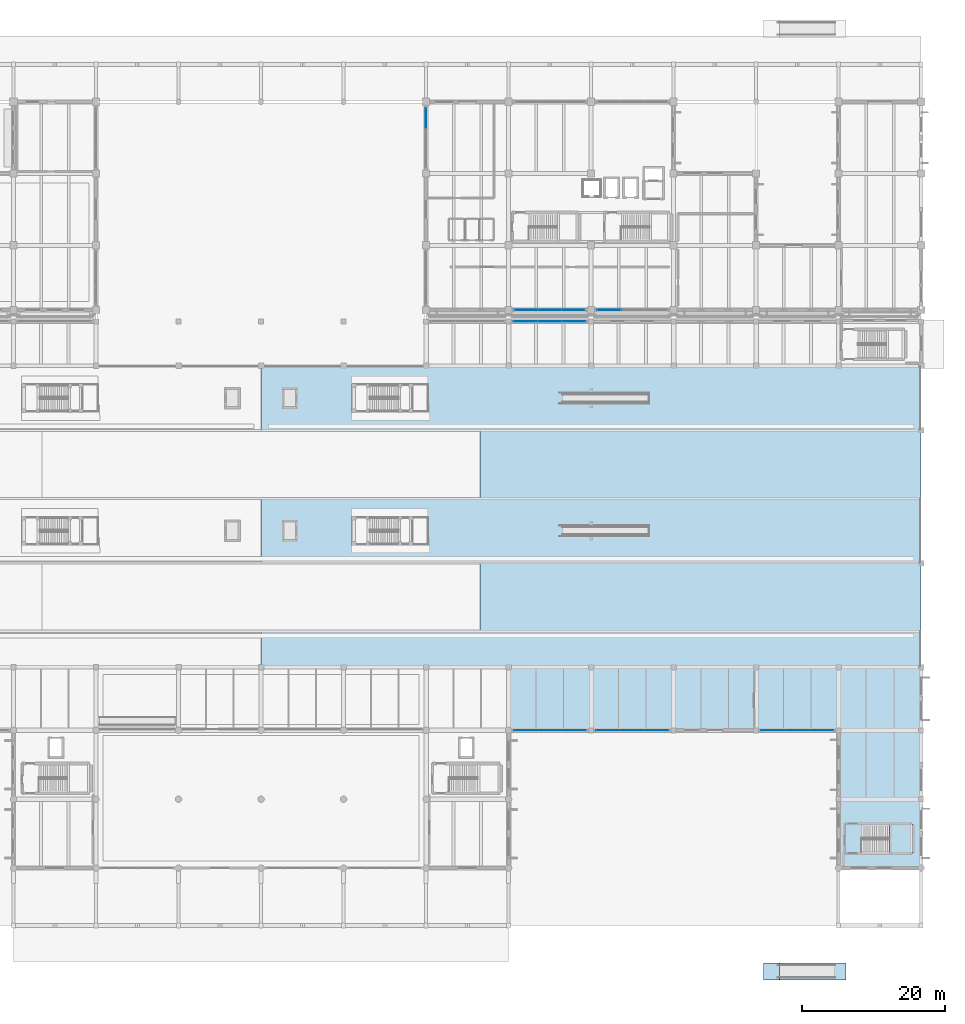
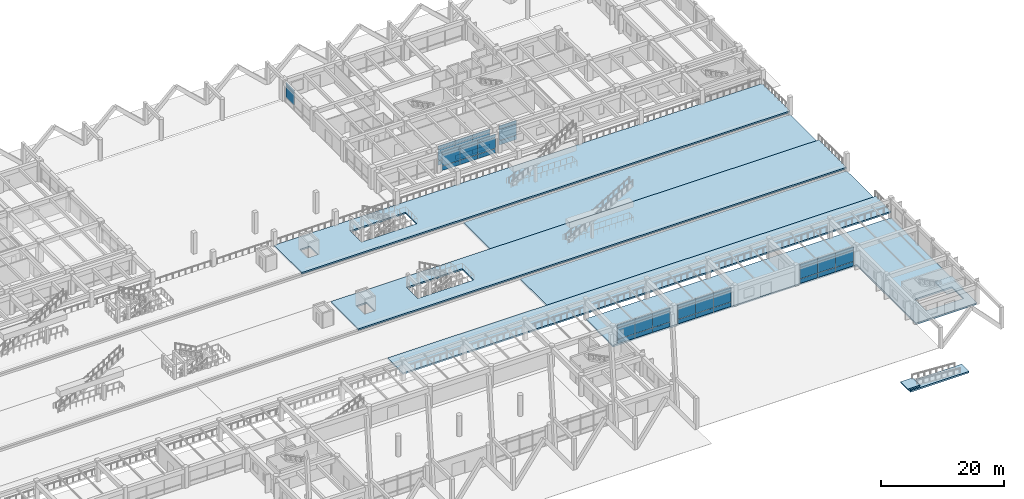
# One storey, part 75 of 109: 50 plates, 9 slabs, 9 elements without a shape of their own.
"""IFC4 building model written with IfcOpenShell, lengths in metres."""

from ifc_helpers import new_model, si_unit, direction, frame, origin, origin_2d, place, context, subcontext, project, spatial, polyline, rectangle, outline, extrude, material, layer, layer_set, type_object, element, aggregate, save


model = new_model("IFC4")

# Units and contexts
model_context = context("Model", 3, precision=1e-05, world=origin(), true_north=direction((0.0, 1.0)))
body_context = subcontext(model_context, "Body", "Model", "MODEL_VIEW")
ifc_project = project(units=[si_unit("LENGTHUNIT", "METRE"), si_unit("AREAUNIT", "SQUARE_METRE"), si_unit("VOLUMEUNIT", "CUBIC_METRE"), si_unit("PLANEANGLEUNIT", "RADIAN"), si_unit("MASSUNIT", "GRAM", prefix="KILO")], contexts=[model_context])

# Site, building, storey
site_placement = place(None, origin())
site = spatial("IfcSite", under=ifc_project, at=site_placement, CompositionType="ELEMENT")
building_placement = place(site_placement, origin())
building = spatial("IfcBuilding", under=site, at=building_placement, Name="Ologun Quay Terminus", CompositionType="ELEMENT")
storey_placement = place(building_placement, origin())
storey = spatial("IfcBuildingStorey", under=building, at=storey_placement, Name="L00", CompositionType="ELEMENT", Elevation=0.0)

# Slab
ifc_material_1 = material(Name="Concrete C40/50", Category="concrete")
ifc_layer_1 = layer(ifc_material_1, 0.320068359375)
ifc_layer_set_1 = layer_set([ifc_layer_1], Name="Concrete C40/50")
slab_type_1 = type_object("IfcSlabType", Name="Ground Podium Structural Slab 320", PredefinedType="FLOOR", material=ifc_layer_set_1)
slab_1_placement = place(storey_placement, frame((0.0, 0.0, -0.320068359375)))
element("IfcSlab", 1, at=slab_1_placement, inside=storey, type_object=slab_type_1, Name="SL-GND South Station Ground Slab 3", PredefinedType="FLOOR", context=body_context, shape_type="SweptSolid", body=[
    extrude(outline(polyline([(126.5, 27.199951171875), (172.5, 27.199951171875), (172.5, 8.0), (184.0, 8.0), (184.0, 36.0), (126.5, 36.0), (126.5, 27.199951171875)]), holes=[polyline([(175.72998046875, 10.199951171875), (175.72998046875, 14.0), (182.75, 14.0), (182.75, 10.199951171875), (175.72998046875, 10.199951171875)])]), origin(), (0.0, 0.0, 1.0), 0.320068359375),
])

# Curtain wall, plates
ifc_material_2 = material(Name="Aluminium 6063-T6", Category="aluminium")
curtain_wall_type_1 = type_object("IfcCurtainWallType", Name="Rain-Garden East Courtyard Curtain Wall L00 9200x3750", PredefinedType="USERDEFINED", material=ifc_material_2)
curtain_wall_1_placement = place(storey_placement, origin())
curtain_wall_1 = element("IfcCurtainWall", 2, at=curtain_wall_1_placement, inside=storey, type_object=curtain_wall_type_1, Name="CW-17 Curtain Wall CW-L00-123", ObjectType="UNITISED CURTAIN WALL", PredefinedType="USERDEFINED")
ifc_material_3 = material(Name="Glass", Category="glass")
ifc_layer_2 = layer(ifc_material_3, 0.035888671875)
ifc_layer_set_2 = layer_set([ifc_layer_2], Name="Glass")
plate_type_1 = type_object("IfcPlateType", Name="High-Selectivity Harbour Glazed Panel 36", PredefinedType="CURTAIN_PANEL", material=ifc_layer_set_2)
plate_1_placement = place(storey_placement, frame((115.0, 112.55322265625, 0.929931640625), z_axis=(0.0, 0.0, 1.0), x_axis=(0.0, 1.0, 0.0)))
plate_1 = element("IfcPlate", 3, at=plate_1_placement, type_object=plate_type_1, Name="CW-L00-123 Panel B3-2", PredefinedType="CURTAIN_PANEL", context=body_context, shape_type="SweptSolid", body=[
    extrude(rectangle(XDim=2.75341796875, YDim=0.035888671875, at=origin_2d()), origin(), (0.0, 0.0, 1.0), 2.27001953125),
])
plate_2_placement = place(storey_placement, frame((115.0, 112.55322265625, 3.26025390625), z_axis=(0.0, 0.0, 1.0), x_axis=(0.0, 1.0, 0.0)))
plate_2 = element("IfcPlate", 4, at=plate_2_placement, type_object=plate_type_1, Name="CW-L00-123 Panel B3-3", PredefinedType="CURTAIN_PANEL", context=body_context, shape_type="SweptSolid", body=[
    extrude(rectangle(XDim=2.75341796875, YDim=0.035888671875, at=origin_2d()), origin(), (0.0, 0.0, 1.0), 0.639892578125),
])
aggregate(curtain_wall_1, [plate_1, plate_2])

ifc_material_4 = material(Name="Aluminium 6063-T6", Category="aluminium")
curtain_wall_type_2 = type_object("IfcCurtainWallType", Name="Forecourt Arcade Curtain Wall 10700x3750", PredefinedType="USERDEFINED", material=ifc_material_4)
curtain_wall_2_placement = place(storey_placement, origin())
curtain_wall_2 = element("IfcCurtainWall", 5, at=curtain_wall_2_placement, inside=storey, type_object=curtain_wall_type_2, Name="CW-03 Curtain Wall CW-L00-007", ObjectType="UNITISED CURTAIN WALL", PredefinedType="USERDEFINED")
ifc_material_5 = material(Name="Aluminium 6063-T6", Category="aluminium")
ifc_layer_3 = layer(ifc_material_5, 0.050048828125)
ifc_layer_set_3 = layer_set([ifc_layer_3], Name="Aluminium 6063-T6")
plate_type_2 = type_object("IfcPlateType", Name="Insulated Aluminium Shadow-Box Spandrel 50", PredefinedType="CURTAIN_PANEL", material=ifc_layer_set_3)
plate_3_placement = place(storey_placement, frame((128.97998046875, 27.199951171875, 0.02978515625), z_axis=(0.0, 0.0, 1.0), x_axis=(1.0, 0.0, 0.0)))
plate_3 = element("IfcPlate", 6, at=plate_3_placement, type_object=plate_type_2, Name="CW-L00-007 Panel B1-1", PredefinedType="CURTAIN_PANEL", context=body_context, shape_type="SweptSolid", body=[
    extrude(rectangle(XDim=3.320068359375, YDim=0.050048828125, at=origin_2d()), origin(), (0.0, 0.0, 1.0), 0.840087890625),
])
plate_4_placement = place(storey_placement, frame((132.300048828125, 27.199951171875, 0.02978515625), z_axis=(0.0, 0.0, 1.0), x_axis=(1.0, 0.0, 0.0)))
plate_4 = element("IfcPlate", 7, at=plate_4_placement, type_object=plate_type_2, Name="CW-L00-007 Panel B2-1", PredefinedType="CURTAIN_PANEL", context=body_context, shape_type="SweptSolid", body=[
    extrude(rectangle(XDim=3.320068359375, YDim=0.050048828125, at=origin_2d()), origin(), (0.0, 0.0, 1.0), 0.840087890625),
])
plate_5_placement = place(storey_placement, frame((135.6201171875, 27.199951171875, 0.02978515625), z_axis=(0.0, 0.0, 1.0), x_axis=(1.0, 0.0, 0.0)))
plate_5 = element("IfcPlate", 8, at=plate_5_placement, type_object=plate_type_2, Name="CW-L00-007 Panel B3-1", PredefinedType="CURTAIN_PANEL", context=body_context, shape_type="SweptSolid", body=[
    extrude(rectangle(XDim=3.320068359375, YDim=0.050048828125, at=origin_2d()), origin(), (0.0, 0.0, 1.0), 0.840087890625),
])

curtain_wall_3_placement = place(storey_placement, origin())
curtain_wall_3 = element("IfcCurtainWall", 9, at=curtain_wall_3_placement, inside=storey, type_object=curtain_wall_type_2, Name="CW-03 Curtain Wall CW-L00-008", ObjectType="UNITISED CURTAIN WALL", PredefinedType="USERDEFINED")
plate_6_placement = place(storey_placement, frame((140.396728515625, 27.199951171875, 0.02978515625), z_axis=(0.0, 0.0, 1.0), x_axis=(1.0, 0.0, 0.0)))
plate_6 = element("IfcPlate", 10, at=plate_6_placement, type_object=plate_type_2, Name="CW-L00-008 Panel B1-1", PredefinedType="CURTAIN_PANEL", context=body_context, shape_type="SweptSolid", body=[
    extrude(rectangle(XDim=3.353271484375, YDim=0.050048828125, at=origin_2d()), origin(), (0.0, 0.0, 1.0), 0.840087890625),
])
plate_7_placement = place(storey_placement, frame((143.75, 27.199951171875, 0.02978515625), z_axis=(0.0, 0.0, 1.0), x_axis=(1.0, 0.0, 0.0)))
plate_7 = element("IfcPlate", 11, at=plate_7_placement, type_object=plate_type_2, Name="CW-L00-008 Panel B2-1", PredefinedType="CURTAIN_PANEL", context=body_context, shape_type="SweptSolid", body=[
    extrude(rectangle(XDim=3.353271484375, YDim=0.050048828125, at=origin_2d()), origin(), (0.0, 0.0, 1.0), 0.840087890625),
])
plate_8_placement = place(storey_placement, frame((147.103271484375, 27.199951171875, 0.02978515625), z_axis=(0.0, 0.0, 1.0), x_axis=(1.0, 0.0, 0.0)))
plate_8 = element("IfcPlate", 12, at=plate_8_placement, type_object=plate_type_2, Name="CW-L00-008 Panel B3-1", PredefinedType="CURTAIN_PANEL", context=body_context, shape_type="SweptSolid", body=[
    extrude(rectangle(XDim=3.353271484375, YDim=0.050048828125, at=origin_2d()), origin(), (0.0, 0.0, 1.0), 0.840087890625),
])

curtain_wall_4_placement = place(storey_placement, origin())
curtain_wall_4 = element("IfcCurtainWall", 13, at=curtain_wall_4_placement, inside=storey, type_object=curtain_wall_type_2, Name="CW-03 Curtain Wall CW-L00-009", ObjectType="UNITISED CURTAIN WALL", PredefinedType="USERDEFINED")
plate_9_placement = place(storey_placement, frame((163.396728515625, 27.199951171875, 0.02978515625), z_axis=(0.0, 0.0, 1.0), x_axis=(1.0, 0.0, 0.0)))
plate_9 = element("IfcPlate", 14, at=plate_9_placement, type_object=plate_type_2, Name="CW-L00-009 Panel B1-1", PredefinedType="CURTAIN_PANEL", context=body_context, shape_type="SweptSolid", body=[
    extrude(rectangle(XDim=3.353271484375, YDim=0.050048828125, at=origin_2d()), origin(), (0.0, 0.0, 1.0), 0.840087890625),
])
plate_10_placement = place(storey_placement, frame((166.75, 27.199951171875, 0.02978515625), z_axis=(0.0, 0.0, 1.0), x_axis=(1.0, 0.0, 0.0)))
plate_10 = element("IfcPlate", 15, at=plate_10_placement, type_object=plate_type_2, Name="CW-L00-009 Panel B2-1", PredefinedType="CURTAIN_PANEL", context=body_context, shape_type="SweptSolid", body=[
    extrude(rectangle(XDim=3.353271484375, YDim=0.050048828125, at=origin_2d()), origin(), (0.0, 0.0, 1.0), 0.840087890625),
])
plate_11_placement = place(storey_placement, frame((170.103271484375, 27.199951171875, 0.02978515625), z_axis=(0.0, 0.0, 1.0), x_axis=(1.0, 0.0, 0.0)))
plate_11 = element("IfcPlate", 16, at=plate_11_placement, type_object=plate_type_2, Name="CW-L00-009 Panel B3-1", PredefinedType="CURTAIN_PANEL", context=body_context, shape_type="SweptSolid", body=[
    extrude(rectangle(XDim=3.353271484375, YDim=0.050048828125, at=origin_2d()), origin(), (0.0, 0.0, 1.0), 0.840087890625),
])

ifc_material_6 = material(Name="Aluminium 6063-T6", Category="aluminium")
curtain_wall_type_3 = type_object("IfcCurtainWallType", Name="Ticket Hall Grand Portal Curtain Wall 10700x7700", PredefinedType="USERDEFINED", material=ifc_material_6)
curtain_wall_5_placement = place(storey_placement, origin())
curtain_wall_5 = element("IfcCurtainWall", 17, at=curtain_wall_5_placement, inside=storey, type_object=curtain_wall_type_3, Name="CW-01 Curtain Wall CW-L00-087", ObjectType="UNITISED CURTAIN WALL", PredefinedType="USERDEFINED")
plate_12_placement = place(storey_placement, frame((128.896728515625, 84.199951171875, 0.02978515625), z_axis=(0.0, 0.0, 1.0), x_axis=(1.0, 0.0, 0.0)))
plate_12 = element("IfcPlate", 18, at=plate_12_placement, type_object=plate_type_2, Name="CW-L00-087 Panel B1-1", PredefinedType="CURTAIN_PANEL", context=body_context, shape_type="SweptSolid", body=[
    extrude(rectangle(XDim=3.353271484375, YDim=0.050048828125, at=origin_2d()), origin(), (0.0, 0.0, 1.0), 0.840087890625),
])
plate_13_placement = place(storey_placement, frame((132.25, 84.199951171875, 0.02978515625), z_axis=(0.0, 0.0, 1.0), x_axis=(1.0, 0.0, 0.0)))
plate_13 = element("IfcPlate", 19, at=plate_13_placement, type_object=plate_type_2, Name="CW-L00-087 Panel B2-1", PredefinedType="CURTAIN_PANEL", context=body_context, shape_type="SweptSolid", body=[
    extrude(rectangle(XDim=3.353271484375, YDim=0.050048828125, at=origin_2d()), origin(), (0.0, 0.0, 1.0), 0.840087890625),
])
plate_14_placement = place(storey_placement, frame((135.603271484375, 84.199951171875, 0.02978515625), z_axis=(0.0, 0.0, 1.0), x_axis=(1.0, 0.0, 0.0)))
plate_14 = element("IfcPlate", 20, at=plate_14_placement, type_object=plate_type_2, Name="CW-L00-087 Panel B3-1", PredefinedType="CURTAIN_PANEL", context=body_context, shape_type="SweptSolid", body=[
    extrude(rectangle(XDim=3.353271484375, YDim=0.050048828125, at=origin_2d()), origin(), (0.0, 0.0, 1.0), 0.840087890625),
])

ifc_material_7 = material(Name="Aluminium 6063-T6", Category="aluminium")
curtain_wall_type_4 = type_object("IfcCurtainWallType", Name="Waterfront Pavilion Harbour Curtain Wall L00 10500x3750", PredefinedType="USERDEFINED", material=ifc_material_7)
curtain_wall_6_placement = place(storey_placement, origin())
curtain_wall_6 = element("IfcCurtainWall", 21, at=curtain_wall_6_placement, inside=storey, type_object=curtain_wall_type_4, Name="CW-22 Curtain Wall CW-L00-118", ObjectType="UNITISED CURTAIN WALL", PredefinedType="USERDEFINED")
plate_15_placement = place(storey_placement, frame((128.99658203125, 85.800048828125, 0.02978515625), z_axis=(0.0, 0.0, 1.0), x_axis=(1.0, 0.0, 0.0)))
plate_15 = element("IfcPlate", 22, at=plate_15_placement, type_object=plate_type_2, Name="CW-L00-118 Panel B1-1", PredefinedType="CURTAIN_PANEL", context=body_context, shape_type="SweptSolid", body=[
    extrude(rectangle(XDim=3.25341796875, YDim=0.050048828125, at=origin_2d()), origin(), (0.0, 0.0, 1.0), 0.840087890625),
])
plate_16_placement = place(storey_placement, frame((132.25, 85.800048828125, 0.02978515625), z_axis=(0.0, 0.0, 1.0), x_axis=(1.0, 0.0, 0.0)))
plate_16 = element("IfcPlate", 23, at=plate_16_placement, type_object=plate_type_2, Name="CW-L00-118 Panel B2-1", PredefinedType="CURTAIN_PANEL", context=body_context, shape_type="SweptSolid", body=[
    extrude(rectangle(XDim=3.25341796875, YDim=0.050048828125, at=origin_2d()), origin(), (0.0, 0.0, 1.0), 0.840087890625),
])
plate_17_placement = place(storey_placement, frame((135.50341796875, 85.800048828125, 0.02978515625), z_axis=(0.0, 0.0, 1.0), x_axis=(1.0, 0.0, 0.0)))
plate_17 = element("IfcPlate", 24, at=plate_17_placement, type_object=plate_type_2, Name="CW-L00-118 Panel B3-1", PredefinedType="CURTAIN_PANEL", context=body_context, shape_type="SweptSolid", body=[
    extrude(rectangle(XDim=3.25341796875, YDim=0.050048828125, at=origin_2d()), origin(), (0.0, 0.0, 1.0), 0.840087890625),
])

# Curtain wall, plate
curtain_wall_7_placement = place(storey_placement, origin())
curtain_wall_7 = element("IfcCurtainWall", 25, at=curtain_wall_7_placement, inside=storey, type_object=curtain_wall_type_4, Name="CW-22 Curtain Wall CW-L00-119", ObjectType="UNITISED CURTAIN WALL", PredefinedType="USERDEFINED")
plate_18_placement = place(storey_placement, frame((140.49658203125, 85.800048828125, 0.02978515625), z_axis=(0.0, 0.0, 1.0), x_axis=(1.0, 0.0, 0.0)))
plate_18 = element("IfcPlate", 26, at=plate_18_placement, type_object=plate_type_2, Name="CW-L00-119 Panel B1-1", PredefinedType="CURTAIN_PANEL", context=body_context, shape_type="SweptSolid", body=[
    extrude(rectangle(XDim=3.25341796875, YDim=0.050048828125, at=origin_2d()), origin(), (0.0, 0.0, 1.0), 0.840087890625),
])

# Slabs
ifc_material_8 = material(Name="Concrete C40/50", Category="concrete")
ifc_layer_4 = layer(ifc_material_8, 0.39990234375)
ifc_layer_set_4 = layer_set([ifc_layer_4], Name="Concrete C40/50")
slab_type_2 = type_object("IfcSlabType", Name="Isolated Railway Track Bed Slab 400", PredefinedType="FLOOR", material=ifc_layer_set_4)
slab_2_placement = place(storey_placement, frame((0.0, 0.0, 0.14990234375)))
element("IfcSlab", 27, at=slab_2_placement, inside=storey, type_object=slab_type_2, Name="SL-TRK Track Bed T1-T2 Slab Zone 3", PredefinedType="FLOOR", context=body_context, shape_type="SweptSolid", body=[
    extrude(outline(polyline([(122.5, 41.0), (184.0, 41.0), (184.0, 50.5), (122.5, 50.5), (122.5, 41.0)])), origin(), (0.0, 0.0, 1.0), 0.400146484375),
])
slab_3_placement = place(storey_placement, frame((0.0, 0.0, 0.14990234375)))
element("IfcSlab", 28, at=slab_3_placement, inside=storey, type_object=slab_type_2, Name="SL-TRK Track Bed T3-T4 Slab Zone 3", PredefinedType="FLOOR", context=body_context, shape_type="SweptSolid", body=[
    extrude(outline(polyline([(122.5, 59.5), (184.0, 59.5), (184.0, 69.0), (122.5, 69.0), (122.5, 59.5)])), origin(), (0.0, 0.0, 1.0), 0.400146484375),
])
ifc_material_9 = material(Name="Concrete C40/50", Category="concrete")
ifc_layer_5 = layer(ifc_material_9, 0.300048828125)
ifc_layer_set_5 = layer_set([ifc_layer_5], Name="Concrete C40/50")
slab_type_3 = type_object("IfcSlabType", Name="Passenger Platform Deck Slab 300", PredefinedType="FLOOR", material=ifc_layer_set_5)
slab_4_placement = place(storey_placement, frame((0.0, 0.0, 0.949951171875)))
element("IfcSlab", 29, at=slab_4_placement, inside=storey, type_object=slab_type_3, Name="SL-PLT Platform 1 Slab Part 2", PredefinedType="FLOOR", context=body_context, shape_type="SweptSolid", body=[
    extrude(outline(polyline([(92.0, 50.5), (184.0, 50.5), (184.0, 59.5), (92.0, 59.5), (92.0, 50.5)]), holes=[polyline([(95.050048828125, 53.64990234375), (95.050048828125, 56.35009765625), (96.949951171875, 56.35009765625), (96.949951171875, 53.64990234375), (95.050048828125, 53.64990234375)]), polyline([(104.75, 53.14990234375), (104.75, 56.85009765625), (115.25, 56.85009765625), (115.25, 53.14990234375), (104.75, 53.14990234375)])]), origin(), (0.0, 0.0, 1.0), 0.300048828125),
])
slab_5_placement = place(storey_placement, frame((0.0, 0.0, 0.949951171875)))
element("IfcSlab", 30, at=slab_5_placement, inside=storey, type_object=slab_type_3, Name="SL-PLT Platform 3 Slab Part 2", PredefinedType="FLOOR", context=body_context, shape_type="SweptSolid", body=[
    extrude(outline(polyline([(92.0, 36.0), (184.0, 36.0), (184.0, 41.0), (92.0, 41.0), (92.0, 36.0)])), origin(), (0.0, 0.0, 1.0), 0.300048828125),
])
slab_6_placement = place(storey_placement, frame((0.0, 0.0, 0.949951171875)))
element("IfcSlab", 31, at=slab_6_placement, inside=storey, type_object=slab_type_3, Name="SL-PLT Platform 4 Slab Part 1", PredefinedType="FLOOR", context=body_context, shape_type="SweptSolid", body=[
    extrude(outline(polyline([(92.0, 69.0), (184.0, 69.0), (184.0, 78.0), (92.0, 78.0), (92.0, 69.0)]), holes=[polyline([(95.050048828125, 72.14990234375), (95.050048828125, 74.85009765625), (96.949951171875, 74.85009765625), (96.949951171875, 72.14990234375), (95.050048828125, 72.14990234375)]), polyline([(104.75, 71.64990234375), (104.75, 75.35009765625), (115.25, 75.35009765625), (115.25, 71.64990234375), (104.75, 71.64990234375)])]), origin(), (0.0, 0.0, 1.0), 0.300048828125),
])

# Stair, slab
ifc_material_10 = material(Name="Concrete C40/50", Category="concrete")
stair_type = type_object("IfcStairType", Name="Station Concourse Escape Stair 1800", PredefinedType="HALF_TURN_STAIR", material=ifc_material_10)
stair_placement = place(storey_placement, origin())
stair = element("IfcStair", 32, at=stair_placement, inside=storey, type_object=stair_type, Name="ST-S2 Stair L00", PredefinedType="HALF_TURN_STAIR")
ifc_material_11 = material(Name="Precast Concrete C40/50", Category="concrete")
ifc_layer_6 = layer(ifc_material_11, 0.179931640625)
ifc_layer_set_6 = layer_set([ifc_layer_6], Name="Precast Concrete C40/50")
slab_type_4 = type_object("IfcSlabType", Name="Precast Stair Half-Landing Slab 180", PredefinedType="LANDING", material=ifc_layer_set_6)
slab_7_placement = place(storey_placement, frame((0.0, 0.0, 1.919921875)))
slab_7 = element("IfcSlab", 33, at=slab_7_placement, type_object=slab_type_4, Name="ST-S2 Half-Landing L00", PredefinedType="LANDING", context=body_context, shape_type="SweptSolid", body=[
    extrude(outline(polyline([(179.570068359375, 10.1201171875), (182.830078125, 10.1201171875), (182.830078125, 14.080078125), (179.570068359375, 14.080078125), (179.570068359375, 10.1201171875)])), origin(), (0.0, 0.0, 1.0), 0.18017578125),
])
aggregate(stair, [slab_7])

# Ramp, slabs
ifc_material_12 = material(Name="Concrete C40/50", Category="concrete")
ramp_type = type_object("IfcRampType", Name="Accessible Quay Approach Ramp 1800", PredefinedType="STRAIGHT_RUN_RAMP", material=ifc_material_12)
ramp_placement = place(storey_placement, origin())
ramp = element("IfcRamp", 34, at=ramp_placement, inside=storey, type_object=ramp_type, Name="Accessible Approach Ramp RMP-S-E", PredefinedType="STRAIGHT_RUN_RAMP")
slab_8_placement = place(storey_placement, frame((0.0, 0.0, -0.260009765625)))
slab_8 = element("IfcSlab", 35, at=slab_8_placement, type_object=slab_type_4, Name="Ramp Arrival Landing RMP-S-E", PredefinedType="LANDING", context=body_context, shape_type="SweptSolid", body=[
    extrude(outline(polyline([(162.0, -7.60009765625), (164.25, -7.60009765625), (164.25, -5.199951171875), (162.0, -5.199951171875), (162.0, -7.60009765625)])), origin(), (0.0, 0.0, 1.0), 0.260009765625),
])
slab_9_placement = place(storey_placement, frame((0.0, 0.0, -0.820068359375)))
slab_9 = element("IfcSlab", 36, at=slab_9_placement, type_object=slab_type_4, Name="Ramp Foot Landing RMP-S-E", PredefinedType="LANDING", context=body_context, shape_type="SweptSolid", body=[
    extrude(outline(polyline([(162.5, -7.60009765625), (173.5, -7.60009765625), (173.5, -5.199951171875), (162.5, -5.199951171875), (162.5, -7.60009765625)])), origin(), (0.0, 0.0, 1.0), 0.320068359375),
])
aggregate(ramp, [slab_8, slab_9])

# Plate
ifc_material_13 = material(Name="Glass", Category="glass")
ifc_layer_7 = layer(ifc_material_13, 0.028076171875)
ifc_layer_set_7 = layer_set([ifc_layer_7], Name="Glass")
plate_type_3 = type_object("IfcPlateType", Name="Solar-Control Double Glazed Panel 28", PredefinedType="CURTAIN_PANEL", material=ifc_layer_set_7)
plate_19_placement = place(storey_placement, frame((128.97998046875, 27.199951171875, 0.93017578125), z_axis=(0.0, 0.0, 1.0), x_axis=(1.0, 0.0, 0.0)))
plate_19 = element("IfcPlate", 37, at=plate_19_placement, type_object=plate_type_3, Name="CW-L00-007 Panel B1-2", PredefinedType="CURTAIN_PANEL", context=body_context, shape_type="SweptSolid", body=[
    extrude(rectangle(XDim=3.320068359375, YDim=0.028076171875, at=origin_2d()), origin(), (0.0, 0.0, 1.0), 2.219970703125),
])

plate_20_placement = place(storey_placement, frame((128.97998046875, 27.199951171875, 3.2099609375), z_axis=(0.0, 0.0, 1.0), x_axis=(1.0, 0.0, 0.0)))
plate_20 = element("IfcPlate", 38, at=plate_20_placement, type_object=plate_type_3, Name="CW-L00-007 Panel B1-3", PredefinedType="CURTAIN_PANEL", context=body_context, shape_type="SweptSolid", body=[
    extrude(rectangle(XDim=3.320068359375, YDim=0.028076171875, at=origin_2d()), origin(), (0.0, 0.0, 1.0), 0.639892578125),
])

plate_21_placement = place(storey_placement, frame((132.300048828125, 27.199951171875, 0.93017578125), z_axis=(0.0, 0.0, 1.0), x_axis=(1.0, 0.0, 0.0)))
plate_21 = element("IfcPlate", 39, at=plate_21_placement, type_object=plate_type_3, Name="CW-L00-007 Panel B2-2", PredefinedType="CURTAIN_PANEL", context=body_context, shape_type="SweptSolid", body=[
    extrude(rectangle(XDim=3.320068359375, YDim=0.028076171875, at=origin_2d()), origin(), (0.0, 0.0, 1.0), 2.219970703125),
])

plate_22_placement = place(storey_placement, frame((132.300048828125, 27.199951171875, 3.2099609375), z_axis=(0.0, 0.0, 1.0), x_axis=(1.0, 0.0, 0.0)))
plate_22 = element("IfcPlate", 40, at=plate_22_placement, type_object=plate_type_3, Name="CW-L00-007 Panel B2-3", PredefinedType="CURTAIN_PANEL", context=body_context, shape_type="SweptSolid", body=[
    extrude(rectangle(XDim=3.320068359375, YDim=0.028076171875, at=origin_2d()), origin(), (0.0, 0.0, 1.0), 0.639892578125),
])

plate_23_placement = place(storey_placement, frame((135.6201171875, 27.199951171875, 0.93017578125), z_axis=(0.0, 0.0, 1.0), x_axis=(1.0, 0.0, 0.0)))
plate_23 = element("IfcPlate", 41, at=plate_23_placement, type_object=plate_type_3, Name="CW-L00-007 Panel B3-2", PredefinedType="CURTAIN_PANEL", context=body_context, shape_type="SweptSolid", body=[
    extrude(rectangle(XDim=3.320068359375, YDim=0.028076171875, at=origin_2d()), origin(), (0.0, 0.0, 1.0), 2.219970703125),
])

plate_24_placement = place(storey_placement, frame((135.6201171875, 27.199951171875, 3.2099609375), z_axis=(0.0, 0.0, 1.0), x_axis=(1.0, 0.0, 0.0)))
plate_24 = element("IfcPlate", 42, at=plate_24_placement, type_object=plate_type_3, Name="CW-L00-007 Panel B3-3", PredefinedType="CURTAIN_PANEL", context=body_context, shape_type="SweptSolid", body=[
    extrude(rectangle(XDim=3.320068359375, YDim=0.028076171875, at=origin_2d()), origin(), (0.0, 0.0, 1.0), 0.639892578125),
])

aggregate(curtain_wall_2, [plate_3, plate_19, plate_20, plate_4, plate_21, plate_22, plate_5, plate_23, plate_24])

plate_25_placement = place(storey_placement, frame((140.396728515625, 27.199951171875, 0.93017578125), z_axis=(0.0, 0.0, 1.0), x_axis=(1.0, 0.0, 0.0)))
plate_25 = element("IfcPlate", 43, at=plate_25_placement, type_object=plate_type_3, Name="CW-L00-008 Panel B1-2", PredefinedType="CURTAIN_PANEL", context=body_context, shape_type="SweptSolid", body=[
    extrude(rectangle(XDim=3.353271484375, YDim=0.028076171875, at=origin_2d()), origin(), (0.0, 0.0, 1.0), 2.219970703125),
])

plate_26_placement = place(storey_placement, frame((140.396728515625, 27.199951171875, 3.2099609375), z_axis=(0.0, 0.0, 1.0), x_axis=(1.0, 0.0, 0.0)))
plate_26 = element("IfcPlate", 44, at=plate_26_placement, type_object=plate_type_3, Name="CW-L00-008 Panel B1-3", PredefinedType="CURTAIN_PANEL", context=body_context, shape_type="SweptSolid", body=[
    extrude(rectangle(XDim=3.353271484375, YDim=0.028076171875, at=origin_2d()), origin(), (0.0, 0.0, 1.0), 0.639892578125),
])

plate_27_placement = place(storey_placement, frame((143.75, 27.199951171875, 0.93017578125), z_axis=(0.0, 0.0, 1.0), x_axis=(1.0, 0.0, 0.0)))
plate_27 = element("IfcPlate", 45, at=plate_27_placement, type_object=plate_type_3, Name="CW-L00-008 Panel B2-2", PredefinedType="CURTAIN_PANEL", context=body_context, shape_type="SweptSolid", body=[
    extrude(rectangle(XDim=3.353271484375, YDim=0.028076171875, at=origin_2d()), origin(), (0.0, 0.0, 1.0), 2.219970703125),
])

plate_28_placement = place(storey_placement, frame((143.75, 27.199951171875, 3.2099609375), z_axis=(0.0, 0.0, 1.0), x_axis=(1.0, 0.0, 0.0)))
plate_28 = element("IfcPlate", 46, at=plate_28_placement, type_object=plate_type_3, Name="CW-L00-008 Panel B2-3", PredefinedType="CURTAIN_PANEL", context=body_context, shape_type="SweptSolid", body=[
    extrude(rectangle(XDim=3.353271484375, YDim=0.028076171875, at=origin_2d()), origin(), (0.0, 0.0, 1.0), 0.639892578125),
])

plate_29_placement = place(storey_placement, frame((147.103271484375, 27.199951171875, 0.93017578125), z_axis=(0.0, 0.0, 1.0), x_axis=(1.0, 0.0, 0.0)))
plate_29 = element("IfcPlate", 47, at=plate_29_placement, type_object=plate_type_3, Name="CW-L00-008 Panel B3-2", PredefinedType="CURTAIN_PANEL", context=body_context, shape_type="SweptSolid", body=[
    extrude(rectangle(XDim=3.353271484375, YDim=0.028076171875, at=origin_2d()), origin(), (0.0, 0.0, 1.0), 2.219970703125),
])

plate_30_placement = place(storey_placement, frame((147.103271484375, 27.199951171875, 3.2099609375), z_axis=(0.0, 0.0, 1.0), x_axis=(1.0, 0.0, 0.0)))
plate_30 = element("IfcPlate", 48, at=plate_30_placement, type_object=plate_type_3, Name="CW-L00-008 Panel B3-3", PredefinedType="CURTAIN_PANEL", context=body_context, shape_type="SweptSolid", body=[
    extrude(rectangle(XDim=3.353271484375, YDim=0.028076171875, at=origin_2d()), origin(), (0.0, 0.0, 1.0), 0.639892578125),
])

aggregate(curtain_wall_3, [plate_6, plate_25, plate_26, plate_7, plate_27, plate_28, plate_8, plate_29, plate_30])

plate_31_placement = place(storey_placement, frame((163.396728515625, 27.199951171875, 0.93017578125), z_axis=(0.0, 0.0, 1.0), x_axis=(1.0, 0.0, 0.0)))
plate_31 = element("IfcPlate", 49, at=plate_31_placement, type_object=plate_type_3, Name="CW-L00-009 Panel B1-2", PredefinedType="CURTAIN_PANEL", context=body_context, shape_type="SweptSolid", body=[
    extrude(rectangle(XDim=3.353271484375, YDim=0.028076171875, at=origin_2d()), origin(), (0.0, 0.0, 1.0), 2.219970703125),
])

plate_32_placement = place(storey_placement, frame((163.396728515625, 27.199951171875, 3.2099609375), z_axis=(0.0, 0.0, 1.0), x_axis=(1.0, 0.0, 0.0)))
plate_32 = element("IfcPlate", 50, at=plate_32_placement, type_object=plate_type_3, Name="CW-L00-009 Panel B1-3", PredefinedType="CURTAIN_PANEL", context=body_context, shape_type="SweptSolid", body=[
    extrude(rectangle(XDim=3.353271484375, YDim=0.028076171875, at=origin_2d()), origin(), (0.0, 0.0, 1.0), 0.639892578125),
])

plate_33_placement = place(storey_placement, frame((166.75, 27.199951171875, 0.93017578125), z_axis=(0.0, 0.0, 1.0), x_axis=(1.0, 0.0, 0.0)))
plate_33 = element("IfcPlate", 51, at=plate_33_placement, type_object=plate_type_3, Name="CW-L00-009 Panel B2-2", PredefinedType="CURTAIN_PANEL", context=body_context, shape_type="SweptSolid", body=[
    extrude(rectangle(XDim=3.353271484375, YDim=0.028076171875, at=origin_2d()), origin(), (0.0, 0.0, 1.0), 2.219970703125),
])

plate_34_placement = place(storey_placement, frame((166.75, 27.199951171875, 3.2099609375), z_axis=(0.0, 0.0, 1.0), x_axis=(1.0, 0.0, 0.0)))
plate_34 = element("IfcPlate", 52, at=plate_34_placement, type_object=plate_type_3, Name="CW-L00-009 Panel B2-3", PredefinedType="CURTAIN_PANEL", context=body_context, shape_type="SweptSolid", body=[
    extrude(rectangle(XDim=3.353271484375, YDim=0.028076171875, at=origin_2d()), origin(), (0.0, 0.0, 1.0), 0.639892578125),
])

plate_35_placement = place(storey_placement, frame((170.103271484375, 27.199951171875, 0.93017578125), z_axis=(0.0, 0.0, 1.0), x_axis=(1.0, 0.0, 0.0)))
plate_35 = element("IfcPlate", 53, at=plate_35_placement, type_object=plate_type_3, Name="CW-L00-009 Panel B3-2", PredefinedType="CURTAIN_PANEL", context=body_context, shape_type="SweptSolid", body=[
    extrude(rectangle(XDim=3.353271484375, YDim=0.028076171875, at=origin_2d()), origin(), (0.0, 0.0, 1.0), 2.219970703125),
])

plate_36_placement = place(storey_placement, frame((170.103271484375, 27.199951171875, 3.2099609375), z_axis=(0.0, 0.0, 1.0), x_axis=(1.0, 0.0, 0.0)))
plate_36 = element("IfcPlate", 54, at=plate_36_placement, type_object=plate_type_3, Name="CW-L00-009 Panel B3-3", PredefinedType="CURTAIN_PANEL", context=body_context, shape_type="SweptSolid", body=[
    extrude(rectangle(XDim=3.353271484375, YDim=0.028076171875, at=origin_2d()), origin(), (0.0, 0.0, 1.0), 0.639892578125),
])

aggregate(curtain_wall_4, [plate_9, plate_31, plate_32, plate_10, plate_33, plate_34, plate_11, plate_35, plate_36])

plate_37_placement = place(storey_placement, frame((128.896728515625, 84.199951171875, 0.929931640625), z_axis=(0.0, 0.0, 1.0), x_axis=(1.0, 0.0, 0.0)))
plate_37 = element("IfcPlate", 55, at=plate_37_placement, type_object=plate_type_3, Name="CW-L00-087 Panel B1-2", PredefinedType="CURTAIN_PANEL", context=body_context, shape_type="SweptSolid", body=[
    extrude(rectangle(XDim=3.353271484375, YDim=0.028076171875, at=origin_2d()), origin(), (0.0, 0.0, 1.0), 2.18994140625),
])

plate_38_placement = place(storey_placement, frame((128.896728515625, 84.199951171875, 3.18017578125), z_axis=(0.0, 0.0, 1.0), x_axis=(1.0, 0.0, 0.0)))
plate_38 = element("IfcPlate", 56, at=plate_38_placement, type_object=plate_type_3, Name="CW-L00-087 Panel B1-3", PredefinedType="CURTAIN_PANEL", context=body_context, shape_type="SweptSolid", body=[
    extrude(rectangle(XDim=3.353271484375, YDim=0.028076171875, at=origin_2d()), origin(), (0.0, 0.0, 1.0), 0.639892578125),
])

plate_39_placement = place(storey_placement, frame((132.25, 84.199951171875, 0.929931640625), z_axis=(0.0, 0.0, 1.0), x_axis=(1.0, 0.0, 0.0)))
plate_39 = element("IfcPlate", 57, at=plate_39_placement, type_object=plate_type_3, Name="CW-L00-087 Panel B2-2", PredefinedType="CURTAIN_PANEL", context=body_context, shape_type="SweptSolid", body=[
    extrude(rectangle(XDim=3.353271484375, YDim=0.028076171875, at=origin_2d()), origin(), (0.0, 0.0, 1.0), 2.18994140625),
])

plate_40_placement = place(storey_placement, frame((132.25, 84.199951171875, 3.18017578125), z_axis=(0.0, 0.0, 1.0), x_axis=(1.0, 0.0, 0.0)))
plate_40 = element("IfcPlate", 58, at=plate_40_placement, type_object=plate_type_3, Name="CW-L00-087 Panel B2-3", PredefinedType="CURTAIN_PANEL", context=body_context, shape_type="SweptSolid", body=[
    extrude(rectangle(XDim=3.353271484375, YDim=0.028076171875, at=origin_2d()), origin(), (0.0, 0.0, 1.0), 0.639892578125),
])

plate_41_placement = place(storey_placement, frame((135.603271484375, 84.199951171875, 0.929931640625), z_axis=(0.0, 0.0, 1.0), x_axis=(1.0, 0.0, 0.0)))
plate_41 = element("IfcPlate", 59, at=plate_41_placement, type_object=plate_type_3, Name="CW-L00-087 Panel B3-2", PredefinedType="CURTAIN_PANEL", context=body_context, shape_type="SweptSolid", body=[
    extrude(rectangle(XDim=3.353271484375, YDim=0.028076171875, at=origin_2d()), origin(), (0.0, 0.0, 1.0), 2.18994140625),
])

plate_42_placement = place(storey_placement, frame((135.603271484375, 84.199951171875, 3.18017578125), z_axis=(0.0, 0.0, 1.0), x_axis=(1.0, 0.0, 0.0)))
plate_42 = element("IfcPlate", 60, at=plate_42_placement, type_object=plate_type_3, Name="CW-L00-087 Panel B3-3", PredefinedType="CURTAIN_PANEL", context=body_context, shape_type="SweptSolid", body=[
    extrude(rectangle(XDim=3.353271484375, YDim=0.028076171875, at=origin_2d()), origin(), (0.0, 0.0, 1.0), 0.639892578125),
])

aggregate(curtain_wall_5, [plate_12, plate_37, plate_38, plate_13, plate_39, plate_40, plate_14, plate_41, plate_42])

plate_43_placement = place(storey_placement, frame((128.99658203125, 85.800048828125, 0.929931640625), z_axis=(0.0, 0.0, 1.0), x_axis=(1.0, 0.0, 0.0)))
plate_43 = element("IfcPlate", 61, at=plate_43_placement, type_object=plate_type_3, Name="CW-L00-118 Panel B1-2", PredefinedType="CURTAIN_PANEL", context=body_context, shape_type="SweptSolid", body=[
    extrude(rectangle(XDim=3.25341796875, YDim=0.028076171875, at=origin_2d()), origin(), (0.0, 0.0, 1.0), 2.27001953125),
])

plate_44_placement = place(storey_placement, frame((128.99658203125, 85.800048828125, 3.26025390625), z_axis=(0.0, 0.0, 1.0), x_axis=(1.0, 0.0, 0.0)))
plate_44 = element("IfcPlate", 62, at=plate_44_placement, type_object=plate_type_3, Name="CW-L00-118 Panel B1-3", PredefinedType="CURTAIN_PANEL", context=body_context, shape_type="SweptSolid", body=[
    extrude(rectangle(XDim=3.25341796875, YDim=0.028076171875, at=origin_2d()), origin(), (0.0, 0.0, 1.0), 0.639892578125),
])

plate_45_placement = place(storey_placement, frame((132.25, 85.800048828125, 0.929931640625), z_axis=(0.0, 0.0, 1.0), x_axis=(1.0, 0.0, 0.0)))
plate_45 = element("IfcPlate", 63, at=plate_45_placement, type_object=plate_type_3, Name="CW-L00-118 Panel B2-2", PredefinedType="CURTAIN_PANEL", context=body_context, shape_type="SweptSolid", body=[
    extrude(rectangle(XDim=3.25341796875, YDim=0.028076171875, at=origin_2d()), origin(), (0.0, 0.0, 1.0), 2.27001953125),
])

plate_46_placement = place(storey_placement, frame((132.25, 85.800048828125, 3.26025390625), z_axis=(0.0, 0.0, 1.0), x_axis=(1.0, 0.0, 0.0)))
plate_46 = element("IfcPlate", 64, at=plate_46_placement, type_object=plate_type_3, Name="CW-L00-118 Panel B2-3", PredefinedType="CURTAIN_PANEL", context=body_context, shape_type="SweptSolid", body=[
    extrude(rectangle(XDim=3.25341796875, YDim=0.028076171875, at=origin_2d()), origin(), (0.0, 0.0, 1.0), 0.639892578125),
])

plate_47_placement = place(storey_placement, frame((135.50341796875, 85.800048828125, 0.929931640625), z_axis=(0.0, 0.0, 1.0), x_axis=(1.0, 0.0, 0.0)))
plate_47 = element("IfcPlate", 65, at=plate_47_placement, type_object=plate_type_3, Name="CW-L00-118 Panel B3-2", PredefinedType="CURTAIN_PANEL", context=body_context, shape_type="SweptSolid", body=[
    extrude(rectangle(XDim=3.25341796875, YDim=0.028076171875, at=origin_2d()), origin(), (0.0, 0.0, 1.0), 2.27001953125),
])

plate_48_placement = place(storey_placement, frame((135.50341796875, 85.800048828125, 3.26025390625), z_axis=(0.0, 0.0, 1.0), x_axis=(1.0, 0.0, 0.0)))
plate_48 = element("IfcPlate", 66, at=plate_48_placement, type_object=plate_type_3, Name="CW-L00-118 Panel B3-3", PredefinedType="CURTAIN_PANEL", context=body_context, shape_type="SweptSolid", body=[
    extrude(rectangle(XDim=3.25341796875, YDim=0.028076171875, at=origin_2d()), origin(), (0.0, 0.0, 1.0), 0.639892578125),
])

aggregate(curtain_wall_6, [plate_15, plate_43, plate_44, plate_16, plate_45, plate_46, plate_17, plate_47, plate_48])

plate_49_placement = place(storey_placement, frame((140.49658203125, 85.800048828125, 0.929931640625), z_axis=(0.0, 0.0, 1.0), x_axis=(1.0, 0.0, 0.0)))
plate_49 = element("IfcPlate", 67, at=plate_49_placement, type_object=plate_type_3, Name="CW-L00-119 Panel B1-2", PredefinedType="CURTAIN_PANEL", context=body_context, shape_type="SweptSolid", body=[
    extrude(rectangle(XDim=3.25341796875, YDim=0.028076171875, at=origin_2d()), origin(), (0.0, 0.0, 1.0), 2.27001953125),
])

plate_50_placement = place(storey_placement, frame((140.49658203125, 85.800048828125, 3.26025390625), z_axis=(0.0, 0.0, 1.0), x_axis=(1.0, 0.0, 0.0)))
plate_50 = element("IfcPlate", 68, at=plate_50_placement, type_object=plate_type_3, Name="CW-L00-119 Panel B1-3", PredefinedType="CURTAIN_PANEL", context=body_context, shape_type="SweptSolid", body=[
    extrude(rectangle(XDim=3.25341796875, YDim=0.028076171875, at=origin_2d()), origin(), (0.0, 0.0, 1.0), 0.639892578125),
])

aggregate(curtain_wall_7, [plate_18, plate_49, plate_50])

save(model, "model.ifc")
